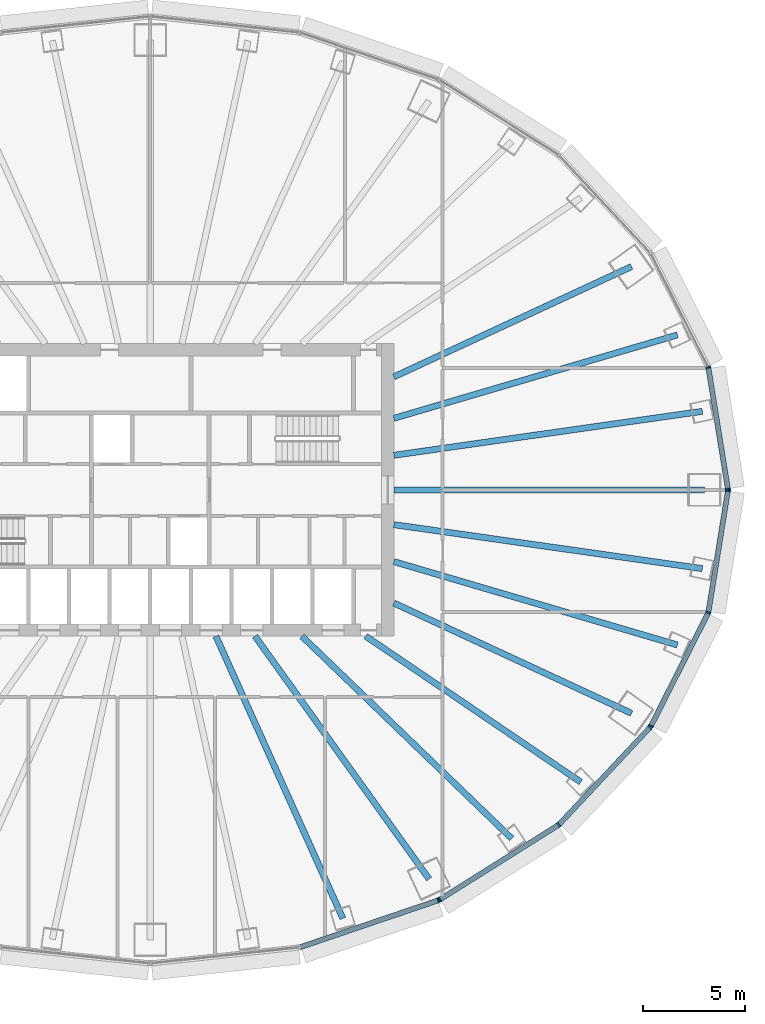
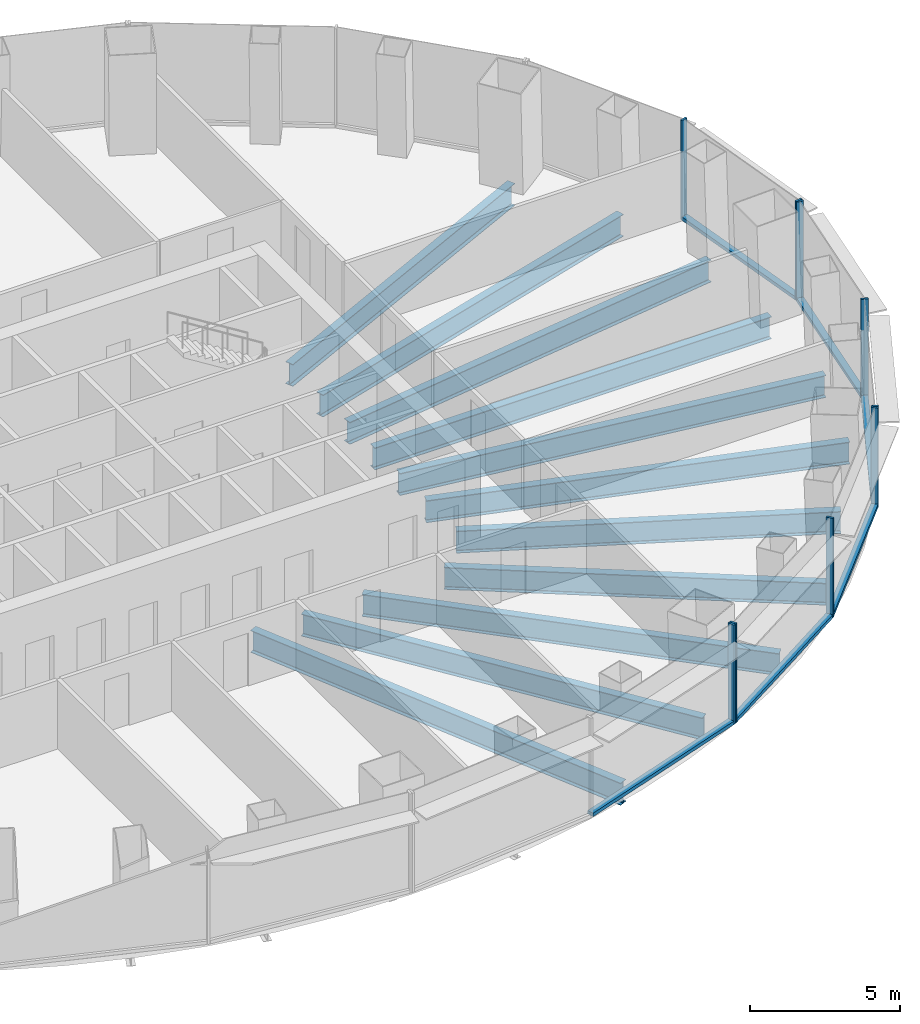
# One storey, part 3 of 13: 15 members, 11 beams, 4 elements without a shape of their own.
"""IFC4 building model written with IfcOpenShell, lengths in metres."""

from ifc_helpers import new_model, si_unit, direction, frame, origin, origin_2d, place, context, subcontext, project, spatial, rectangle, i_section, extrude, material, layer, layer_set, material_profile, profile_set, type_object, element, aggregate, save


model = new_model("IFC4")

# Units and contexts
model_context = context("Model", 3, precision=1e-05, world=origin(), true_north=direction((0.0, 1.0)))
body_context = subcontext(model_context, "Body", "Model", "MODEL_VIEW")
ifc_project = project(units=[si_unit("LENGTHUNIT", "METRE"), si_unit("AREAUNIT", "SQUARE_METRE"), si_unit("VOLUMEUNIT", "CUBIC_METRE"), si_unit("PLANEANGLEUNIT", "RADIAN"), si_unit("MASSUNIT", "GRAM", prefix="KILO")], contexts=[model_context])

# Site, building, storey
site_placement = place(None, origin())
site = spatial("IfcSite", under=ifc_project, at=site_placement, CompositionType="ELEMENT")
building_placement = place(site_placement, origin())
building = spatial("IfcBuilding", under=site, at=building_placement, Name="Siaravel Broadcast Tower", CompositionType="ELEMENT")
storey_placement = place(building_placement, frame((0.0, 0.0, 32.89990234375)))
storey = spatial("IfcBuildingStorey", under=building, at=storey_placement, Name="L06", CompositionType="ELEMENT", Elevation=32.89990234375)

# Beams
ifc_material_1 = material(Name="Steel S355", Category="steel")
ifc_material_profile_1 = material_profile(ifc_material_1, i_section(OverallWidth=0.30322265625, OverallDepth=0.903076171875, WebThickness=0.01513671875, FlangeThickness=0.020263671875, FilletRadius=0.01904296875, at=origin_2d()))
ifc_profile_set_1 = profile_set([ifc_material_profile_1], Name="Steel S355")
beam_type = type_object("IfcBeamType", Name="BM-UB 914x305x201", PredefinedType="BEAM", material=ifc_profile_set_1)
beam_1_placement = place(storey_placement, frame((27.3037109375, 0.0, -0.6513671875), z_axis=(-1.0, 0.0, 0.0), x_axis=(0.0, -1.0, 0.0)))
element("IfcBeam", 1, at=beam_1_placement, inside=storey, type_object=beam_type, Name="Radial beam RB01", PredefinedType="BEAM", context=body_context, shape_type="SweptSolid", body=[
    extrude(i_section(OverallWidth=0.30322265625, OverallDepth=0.903076171875, WebThickness=0.01513671875, FlangeThickness=0.020263671875, FilletRadius=0.01904296875, at=origin_2d()), origin(), (0.0, 0.0, 1.0), 15.3037109375),
])
beam_2_placement = place(storey_placement, frame((27.18994140625, 3.87158203125, -0.6513671875), z_axis=(-0.990014628, -0.140964666, 0.0), x_axis=(0.140964666, -0.990014628, 0.0)))
element("IfcBeam", 2, at=beam_2_placement, inside=storey, type_object=beam_type, Name="Radial beam RB02", PredefinedType="BEAM", context=body_context, shape_type="SweptSolid", body=[
    extrude(i_section(OverallWidth=0.30322265625, OverallDepth=0.903076171875, WebThickness=0.01513671875, FlangeThickness=0.020263671875, FilletRadius=0.01904296875, at=origin_2d()), origin(), (0.0, 0.0, 1.0), 15.34326171875),
])
beam_3_placement = place(storey_placement, frame((25.959716796875, 7.632568359375, -0.6513671875), z_axis=(-0.959394352, -0.282068215, 0.0), x_axis=(0.282068215, -0.959394352, 0.0)))
element("IfcBeam", 3, at=beam_3_placement, inside=storey, type_object=beam_type, Name="Radial beam RB03", PredefinedType="BEAM", context=body_context, shape_type="SweptSolid", body=[
    extrude(i_section(OverallWidth=0.30322265625, OverallDepth=0.903076171875, WebThickness=0.01513671875, FlangeThickness=0.020263671875, FilletRadius=0.01904296875, at=origin_2d()), origin(), (0.0, 0.0, 1.0), 14.550537109375),
])
beam_4_placement = place(storey_placement, frame((23.69921875, 10.9990234375, -0.6513671875), z_axis=(-0.907070929, -0.420977827, 0.0), x_axis=(0.420977827, -0.907070929, 0.0)))
element("IfcBeam", 4, at=beam_4_placement, inside=storey, type_object=beam_type, Name="Radial beam RB04", PredefinedType="BEAM", context=body_context, shape_type="SweptSolid", body=[
    extrude(i_section(OverallWidth=0.30322265625, OverallDepth=0.903076171875, WebThickness=0.01513671875, FlangeThickness=0.020263671875, FilletRadius=0.01904296875, at=origin_2d()), origin(), (0.0, 0.0, 1.0), 12.897705078125),
])
beam_5_placement = place(storey_placement, frame((9.486083984375, -21.095947265625, -0.6513671875), z_axis=(-0.410110148, 0.912036001, 0.0), x_axis=(-0.912036001, -0.410110148, 0.0)))
element("IfcBeam", 5, at=beam_5_placement, inside=storey, type_object=beam_type, Name="Radial beam RB30", PredefinedType="BEAM", context=body_context, shape_type="SweptSolid", body=[
    extrude(i_section(OverallWidth=0.30322265625, OverallDepth=0.903076171875, WebThickness=0.01513671875, FlangeThickness=0.020263671875, FilletRadius=0.01904296875, at=origin_2d()), origin(), (0.0, 0.0, 1.0), 15.236328125),
])
beam_6_placement = place(storey_placement, frame((13.7314453125, -19.154296875, -0.6513671875), z_axis=(-0.582633165, 0.812735255, 0.0), x_axis=(-0.812735255, -0.582633165, 0.0)))
element("IfcBeam", 6, at=beam_6_placement, inside=storey, type_object=beam_type, Name="Radial beam RB31", PredefinedType="BEAM", context=body_context, shape_type="SweptSolid", body=[
    extrude(i_section(OverallWidth=0.30322265625, OverallDepth=0.903076171875, WebThickness=0.01513671875, FlangeThickness=0.020263671875, FilletRadius=0.01904296875, at=origin_2d()), origin(), (0.0, 0.0, 1.0), 14.708740234375),
])
beam_7_placement = place(storey_placement, frame((17.80419921875, -17.163330078125, -0.6513671875), z_axis=(-0.719938673, 0.694037684, 0.0), x_axis=(-0.694037684, -0.719938673, 0.0)))
element("IfcBeam", 7, at=beam_7_placement, inside=storey, type_object=beam_type, Name="Radial beam RB32", PredefinedType="BEAM", context=body_context, shape_type="SweptSolid", body=[
    extrude(i_section(OverallWidth=0.30322265625, OverallDepth=0.903076171875, WebThickness=0.01513671875, FlangeThickness=0.020263671875, FilletRadius=0.01904296875, at=origin_2d()), origin(), (0.0, 0.0, 1.0), 14.355712890625),
])
beam_8_placement = place(storey_placement, frame((21.19970703125, -14.382568359375, -0.6513671875), z_axis=(-0.827525171, 0.561428617, 0.0), x_axis=(-0.561428617, -0.827525171, 0.0)))
element("IfcBeam", 8, at=beam_8_placement, inside=storey, type_object=beam_type, Name="Radial beam RB33", PredefinedType="BEAM", context=body_context, shape_type="SweptSolid", body=[
    extrude(i_section(OverallWidth=0.30322265625, OverallDepth=0.903076171875, WebThickness=0.01513671875, FlangeThickness=0.020263671875, FilletRadius=0.01904296875, at=origin_2d()), origin(), (0.0, 0.0, 1.0), 12.79345703125),
])
beam_9_placement = place(storey_placement, frame((23.69921875, -10.9990234375, -0.6513671875), z_axis=(-0.907070929, 0.420977827, 0.0), x_axis=(-0.420977827, -0.907070929, 0.0)))
element("IfcBeam", 9, at=beam_9_placement, inside=storey, type_object=beam_type, Name="Radial beam RB34", PredefinedType="BEAM", context=body_context, shape_type="SweptSolid", body=[
    extrude(i_section(OverallWidth=0.30322265625, OverallDepth=0.903076171875, WebThickness=0.01513671875, FlangeThickness=0.020263671875, FilletRadius=0.01904296875, at=origin_2d()), origin(), (0.0, 0.0, 1.0), 12.897705078125),
])
beam_10_placement = place(storey_placement, frame((25.959716796875, -7.632568359375, -0.6513671875), z_axis=(-0.959394352, 0.282068215, 0.0), x_axis=(-0.282068215, -0.959394352, 0.0)))
element("IfcBeam", 10, at=beam_10_placement, inside=storey, type_object=beam_type, Name="Radial beam RB35", PredefinedType="BEAM", context=body_context, shape_type="SweptSolid", body=[
    extrude(i_section(OverallWidth=0.30322265625, OverallDepth=0.903076171875, WebThickness=0.01513671875, FlangeThickness=0.020263671875, FilletRadius=0.01904296875, at=origin_2d()), origin(), (0.0, 0.0, 1.0), 14.550537109375),
])
beam_11_placement = place(storey_placement, frame((27.18994140625, -3.87158203125, -0.6513671875), z_axis=(-0.990014628, 0.140964666, 0.0), x_axis=(-0.140964666, -0.990014628, 0.0)))
element("IfcBeam", 11, at=beam_11_placement, inside=storey, type_object=beam_type, Name="Radial beam RB36", PredefinedType="BEAM", context=body_context, shape_type="SweptSolid", body=[
    extrude(i_section(OverallWidth=0.30322265625, OverallDepth=0.903076171875, WebThickness=0.01513671875, FlangeThickness=0.020263671875, FilletRadius=0.01904296875, at=origin_2d()), origin(), (0.0, 0.0, 1.0), 15.34326171875),
])

# Curtain wall, members
ifc_material_2 = material(Name="Aluminium 6063-T6", Category="aluminium")
ifc_layer = layer(ifc_material_2, 0.25)
ifc_layer_set = layer_set([ifc_layer], Name="Aluminium 6063-T6")
curtain_wall_type = type_object("IfcCurtainWallType", Name="Podium newsroom glazing", PredefinedType="NOTDEFINED", material=ifc_layer_set)
curtain_wall_1_placement = place(storey_placement, origin())
curtain_wall_1 = element("IfcCurtainWall", 12, at=curtain_wall_1_placement, inside=storey, type_object=curtain_wall_type, Name="L06 Podium newsroom glazing 01", PredefinedType="NOTDEFINED")
ifc_material_profile_2 = material_profile(ifc_material_2, rectangle(XDim=0.25, YDim=0.080078125, at=origin_2d()))
ifc_profile_set_2 = profile_set([ifc_material_profile_2], Name="Aluminium 6063-T6")
member_type_1 = type_object("IfcMemberType", Name="CW-PD mullion", PredefinedType="MULLION", material=ifc_profile_set_2)
member_1_placement = place(storey_placement, frame((28.447265625, 0.03955078125, 0.0), z_axis=(0.0, 0.0, 1.0), x_axis=(-0.987329072, -0.158686178, 0.0)))
member_1 = element("IfcMember", 13, at=member_1_placement, type_object=member_type_1, Name="CW-PD mullion 1", PredefinedType="MULLION", context=body_context, shape_type="SweptSolid", body=[
    extrude(rectangle(XDim=0.25, YDim=0.080078125, at=origin_2d()), origin(), (0.0, 0.0, 1.0), 4.050048828125),
])
member_2_placement = place(storey_placement, frame((27.4833984375, 6.037109375, 0.0), z_axis=(0.0, 0.0, 1.0), x_axis=(-0.951176868, -0.308646343, 0.0)))
member_2 = element("IfcMember", 14, at=member_2_placement, type_object=member_type_1, Name="CW-PD mullion 2", PredefinedType="MULLION", context=body_context, shape_type="SweptSolid", body=[
    extrude(rectangle(XDim=0.25, YDim=0.080078125, at=origin_2d()), origin(), (0.0, 0.0, 1.0), 4.050048828125),
])

# Curtain wall, member
curtain_wall_2_placement = place(storey_placement, origin())
curtain_wall_2 = element("IfcCurtainWall", 15, at=curtain_wall_2_placement, inside=storey, type_object=curtain_wall_type, Name="L06 Podium newsroom glazing 10", PredefinedType="NOTDEFINED")
member_3_placement = place(storey_placement, frame((14.185302734375, -20.206787109375, 0.0), z_axis=(0.0, 0.0, 1.0), x_axis=(-0.321299974, 0.946977469, 0.0)))
member_3 = element("IfcMember", 16, at=member_3_placement, type_object=member_type_1, Name="CW-PD mullion 3", PredefinedType="MULLION", context=body_context, shape_type="SweptSolid", body=[
    extrude(rectangle(XDim=0.25, YDim=0.080078125, at=origin_2d()), origin(), (0.0, 0.0, 1.0), 4.050048828125),
])

# Curtain wall, members
curtain_wall_3_placement = place(storey_placement, origin())
curtain_wall_3 = element("IfcCurtainWall", 17, at=curtain_wall_3_placement, inside=storey, type_object=curtain_wall_type, Name="L06 Podium newsroom glazing 11", PredefinedType="NOTDEFINED")
member_4_placement = place(storey_placement, frame((14.257080078125, -20.172607421875, 0.0), z_axis=(0.0, 0.0, 1.0), x_axis=(-0.532148221, 0.84665121, 0.0)))
member_4 = element("IfcMember", 18, at=member_4_placement, type_object=member_type_1, Name="CW-PD mullion 1", PredefinedType="MULLION", context=body_context, shape_type="SweptSolid", body=[
    extrude(rectangle(XDim=0.25, YDim=0.080078125, at=origin_2d()), origin(), (0.0, 0.0, 1.0), 4.050048828125),
])
member_5_placement = place(storey_placement, frame((20.1162109375, -16.489990234375, 0.0), z_axis=(0.0, 0.0, 1.0), x_axis=(-0.636217558, 0.771509701, 0.0)))
member_5 = element("IfcMember", 19, at=member_5_placement, type_object=member_type_1, Name="CW-PD mullion 2", PredefinedType="MULLION", context=body_context, shape_type="SweptSolid", body=[
    extrude(rectangle(XDim=0.25, YDim=0.080078125, at=origin_2d()), origin(), (0.0, 0.0, 1.0), 4.050048828125),
])
member_6_placement = place(storey_placement, frame((24.61181640625, -11.69091796875, 0.0), z_axis=(0.0, 0.0, 1.0), x_axis=(-0.729804146, 0.68365628, 0.0)))
member_6 = element("IfcMember", 20, at=member_6_placement, type_object=member_type_1, Name="CW-PD mullion 3", PredefinedType="MULLION", context=body_context, shape_type="SweptSolid", body=[
    extrude(rectangle(XDim=0.25, YDim=0.080078125, at=origin_2d()), origin(), (0.0, 0.0, 1.0), 4.050048828125),
])

curtain_wall_4_placement = place(storey_placement, origin())
curtain_wall_4 = element("IfcCurtainWall", 21, at=curtain_wall_4_placement, inside=storey, type_object=curtain_wall_type, Name="L06 Podium newsroom glazing 12", PredefinedType="NOTDEFINED")
member_7_placement = place(storey_placement, frame((24.6572265625, -11.6259765625, 0.0), z_axis=(0.0, 0.0, 1.0), x_axis=(-0.89239138, 0.451262258, 0.0)))
member_7 = element("IfcMember", 22, at=member_7_placement, type_object=member_type_1, Name="CW-PD mullion 1", PredefinedType="MULLION", context=body_context, shape_type="SweptSolid", body=[
    extrude(rectangle(XDim=0.25, YDim=0.080078125, at=origin_2d()), origin(), (0.0, 0.0, 1.0), 4.050048828125),
])
member_8_placement = place(storey_placement, frame((27.4833984375, -6.037109375, 0.0), z_axis=(0.0, 0.0, 1.0), x_axis=(-0.951176868, 0.308646343, 0.0)))
member_8 = element("IfcMember", 23, at=member_8_placement, type_object=member_type_1, Name="CW-PD mullion 2", PredefinedType="MULLION", context=body_context, shape_type="SweptSolid", body=[
    extrude(rectangle(XDim=0.25, YDim=0.080078125, at=origin_2d()), origin(), (0.0, 0.0, 1.0), 4.050048828125),
])
member_9_placement = place(storey_placement, frame((28.447265625, -0.03955078125, 0.0), z_axis=(0.0, 0.0, 1.0), x_axis=(-0.987329072, 0.158686178, 0.0)))
member_9 = element("IfcMember", 24, at=member_9_placement, type_object=member_type_1, Name="CW-PD mullion 3", PredefinedType="MULLION", context=body_context, shape_type="SweptSolid", body=[
    extrude(rectangle(XDim=0.25, YDim=0.080078125, at=origin_2d()), origin(), (0.0, 0.0, 1.0), 4.050048828125),
])

# Member
ifc_material_profile_3 = material_profile(ifc_material_2, rectangle(XDim=0.25, YDim=0.139892578125, at=origin_2d()))
ifc_profile_set_3 = profile_set([ifc_material_profile_3], Name="Aluminium 6063-T6")
member_type_2 = type_object("IfcMemberType", Name="CW-PD transom", PredefinedType="USERDEFINED", material=ifc_profile_set_3)
member_10_placement = place(storey_placement, frame((28.44091796875, 0.0791015625, 0.070068359375), z_axis=(-0.158709998, 0.987325244, 0.0), x_axis=(-0.987325244, -0.158709998, 0.0)))
member_10 = element("IfcMember", 25, at=member_10_placement, type_object=member_type_2, Name="CW-PD transom 1", ObjectType="TRANSOM", PredefinedType="USERDEFINED", context=body_context, shape_type="SweptSolid", body=[
    extrude(rectangle(XDim=0.25, YDim=0.139892578125, at=origin_2d()), origin(), (0.0, 0.0, 1.0), 5.99462890625),
])

aggregate(curtain_wall_1, [member_1, member_2, member_10])

member_11_placement = place(storey_placement, frame((7.39990234375, -22.5087890625, 0.070068359375), z_axis=(0.946980562, 0.321290858, 0.0), x_axis=(-0.321290858, 0.946980562, 0.0)))
member_11 = element("IfcMember", 26, at=member_11_placement, type_object=member_type_2, Name="CW-PD transom 2", ObjectType="TRANSOM", PredefinedType="USERDEFINED", context=body_context, shape_type="SweptSolid", body=[
    extrude(rectangle(XDim=0.25, YDim=0.139892578125, at=origin_2d()), origin(), (0.0, 0.0, 1.0), 7.125244140625),
])

aggregate(curtain_wall_2, [member_3, member_11])

member_12_placement = place(storey_placement, frame((14.291015625, -20.1513671875, 0.070068359375), z_axis=(0.846642063, 0.532162774, 0.0), x_axis=(-0.532162774, 0.846642063, 0.0)))
member_12 = element("IfcMember", 27, at=member_12_placement, type_object=member_type_2, Name="CW-PD transom 1", ObjectType="TRANSOM", PredefinedType="USERDEFINED", context=body_context, shape_type="SweptSolid", body=[
    extrude(rectangle(XDim=0.25, YDim=0.139892578125, at=origin_2d()), origin(), (0.0, 0.0, 1.0), 6.84033203125),
])

member_13_placement = place(storey_placement, frame((20.143310546875, -16.460693359375, 0.070068359375), z_axis=(0.683673548, 0.729787969, 0.0), x_axis=(-0.729787969, 0.683673548, 0.0)))
member_13 = element("IfcMember", 28, at=member_13_placement, type_object=member_type_2, Name="CW-PD transom 2", ObjectType="TRANSOM", PredefinedType="USERDEFINED", context=body_context, shape_type="SweptSolid", body=[
    extrude(rectangle(XDim=0.25, YDim=0.139892578125, at=origin_2d()), origin(), (0.0, 0.0, 1.0), 6.49609375),
])

aggregate(curtain_wall_3, [member_4, member_5, member_6, member_12, member_13])

member_14_placement = place(storey_placement, frame((24.67529296875, -11.59033203125, 0.070068359375), z_axis=(0.451221003, 0.89241224, 0.0), x_axis=(-0.89241224, 0.451221003, 0.0)))
member_14 = element("IfcMember", 29, at=member_14_placement, type_object=member_type_2, Name="CW-PD transom 1", ObjectType="TRANSOM", PredefinedType="USERDEFINED", context=body_context, shape_type="SweptSolid", body=[
    extrude(rectangle(XDim=0.25, YDim=0.139892578125, at=origin_2d()), origin(), (0.0, 0.0, 1.0), 6.182861328125),
])

member_15_placement = place(storey_placement, frame((27.489501953125, -5.997802734375, 0.070068359375), z_axis=(0.158709998, 0.987325244, 0.0), x_axis=(-0.987325244, 0.158709998, 0.0)))
member_15 = element("IfcMember", 30, at=member_15_placement, type_object=member_type_2, Name="CW-PD transom 2", ObjectType="TRANSOM", PredefinedType="USERDEFINED", context=body_context, shape_type="SweptSolid", body=[
    extrude(rectangle(XDim=0.25, YDim=0.139892578125, at=origin_2d()), origin(), (0.0, 0.0, 1.0), 5.99462890625),
])

aggregate(curtain_wall_4, [member_7, member_8, member_9, member_14, member_15])

save(model, "model.ifc")
